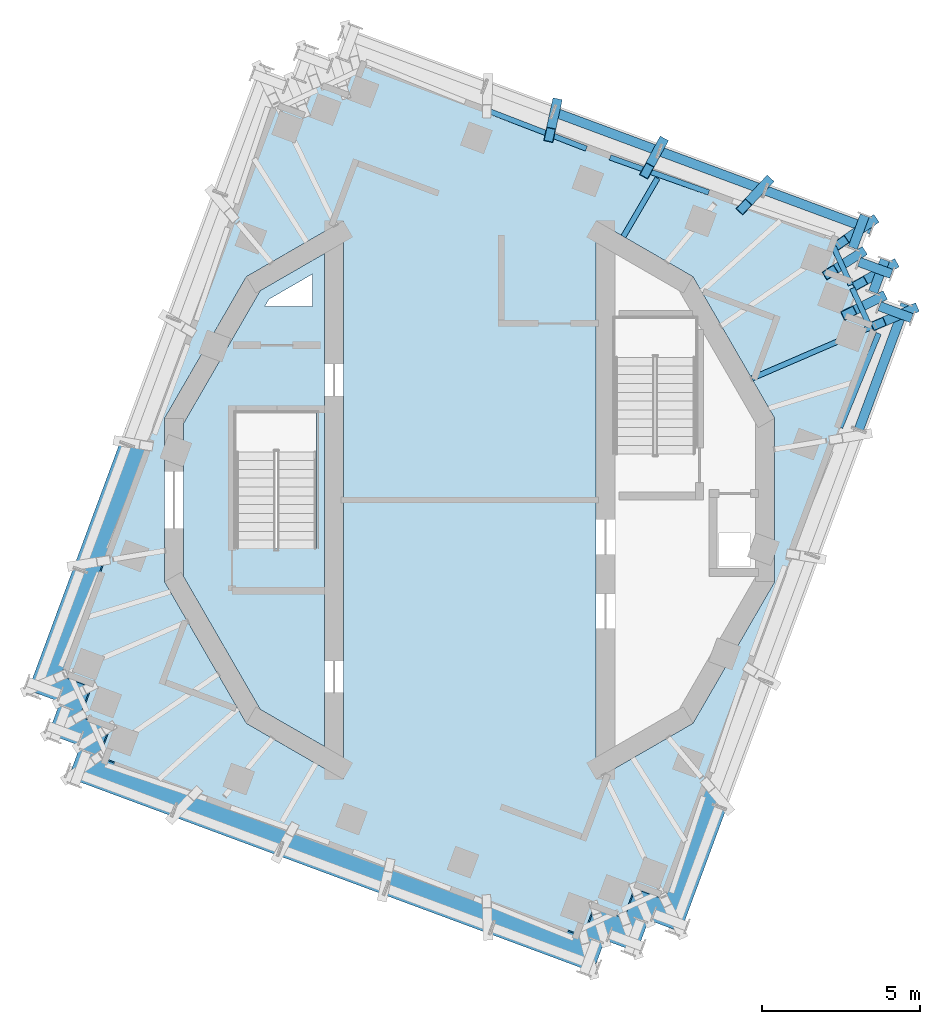
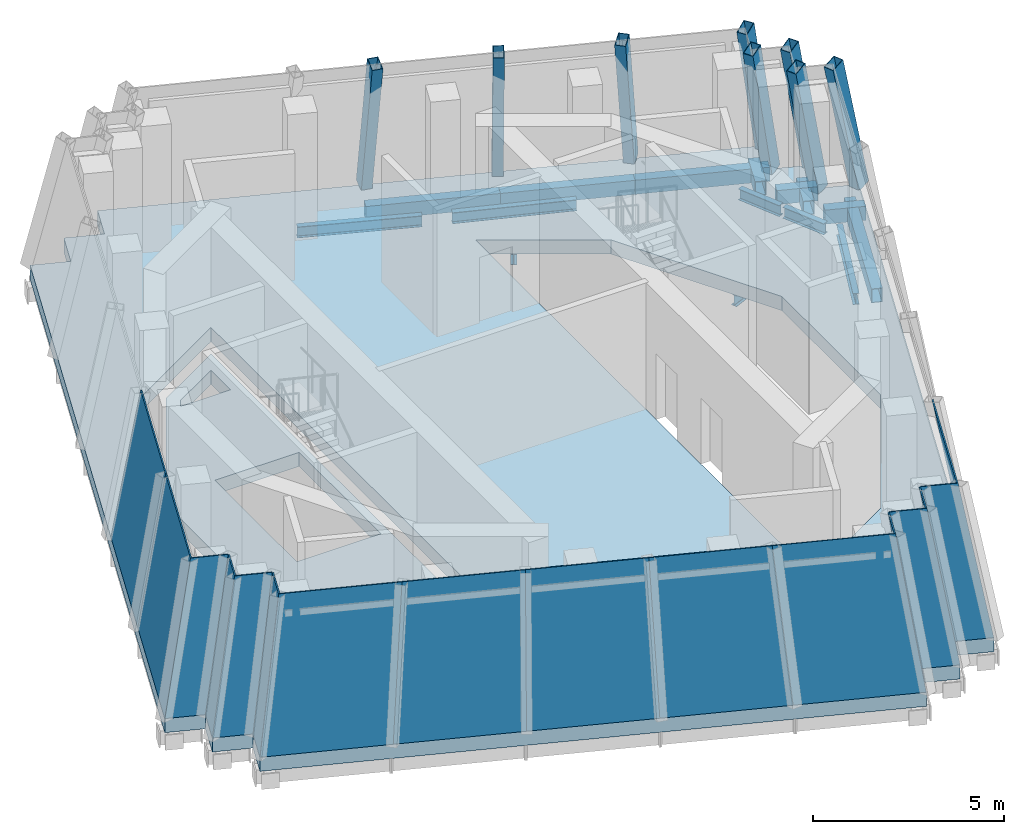
# One storey, part 3 of 11: 16 members, 16 plates, 7 beams, 2 slabs, 25 elements without a shape of their own.
"""IFC4 building model written with IfcOpenShell, lengths in metres."""

from ifc_helpers import new_model, si_unit, direction, frame, origin, origin_2d, place, context, subcontext, project, spatial, polyline, hollow_rectangle, i_section, outline, extrude, material, layer, layer_set, material_profile, profile_set, type_object, element, aggregate, save


model = new_model("IFC4")

# Units and contexts
model_context = context("Model", 3, precision=1e-05, world=origin(), true_north=direction((0.0, 1.0)))
body_context = subcontext(model_context, "Body", "Model", "MODEL_VIEW")
ifc_project = project(units=[si_unit("LENGTHUNIT", "METRE"), si_unit("AREAUNIT", "SQUARE_METRE"), si_unit("VOLUMEUNIT", "CUBIC_METRE"), si_unit("PLANEANGLEUNIT", "RADIAN"), si_unit("MASSUNIT", "GRAM", prefix="KILO")], contexts=[model_context])

# Site, building, storey
site_placement = place(None, origin())
site = spatial("IfcSite", under=ifc_project, at=site_placement, CompositionType="ELEMENT")
building_placement = place(site_placement, origin())
building = spatial("IfcBuilding", under=site, at=building_placement, Name="Cantera Rosa Tower", CompositionType="ELEMENT")
storey_placement = place(building_placement, frame((0.0, 0.0, 369.699951171875)))
storey = spatial("IfcBuildingStorey", under=building, at=storey_placement, Name="L83", CompositionType="ELEMENT", Elevation=369.699951171875)

# Curtain wall, member
ifc_material_1 = material(Name="Aluminium frame with clear glass", Category="aluminium")
curtain_wall_type = type_object("IfcCurtainWallType", Name="CW4 CROWN GLAZING", PredefinedType="NOTDEFINED", material=ifc_material_1)
curtain_wall_1_placement = place(storey_placement, origin())
curtain_wall_1 = element("IfcCurtainWall", 1, at=curtain_wall_1_placement, inside=storey, type_object=curtain_wall_type, Name="CW4 L83-01", PredefinedType="NOTDEFINED")
ifc_material_2 = material(Name="Steel S355J2 (EN 10025-2)", Category="steel")
ifc_material_profile_1 = material_profile(ifc_material_2, hollow_rectangle(XDim=0.300048828125, YDim=0.449951171875, WallThickness=0.01611328125, at=origin_2d()), Name="CROWN FRAME MULLION RHS 300x450x16")
ifc_profile_set_1 = profile_set([ifc_material_profile_1], Name="Steel S355J2 (EN 10025-2)")
member_type_1 = type_object("IfcMemberType", Name="CROWN FRAME MULLION RHS 300x450x16", PredefinedType="MULLION", material=ifc_profile_set_1)
member_1_placement = place(storey_placement, frame((12.704345703125, 8.796630859375, 0.0), z_axis=(-0.202691806928, -0.140333186171, 0.969134989701), x_axis=(0.569232159269, -0.822176835513, 0.0)))
member_1 = element("IfcMember", 2, at=member_1_placement, type_object=member_type_1, Name="CROWN FRAME rib L83-01", PredefinedType="MULLION", context=body_context, shape_type="SweptSolid", body=[
    extrude(hollow_rectangle(XDim=0.300048828125, YDim=0.449951171875, WallThickness=0.01611328125, at=origin_2d()), origin(), (0.0, 0.0, 1.0), 4.643310546875),
])

curtain_wall_2_placement = place(storey_placement, origin())
curtain_wall_2 = element("IfcCurtainWall", 3, at=curtain_wall_2_placement, inside=storey, type_object=curtain_wall_type, Name="CW4 L83-02", PredefinedType="NOTDEFINED")
member_2_placement = place(storey_placement, frame((9.382568359375, 10.027587890625, 0.0), z_axis=(-0.150605583101, -0.161030495213, 0.97539076167), x_axis=(0.730352521861, -0.683070416437, 0.0)))
member_2 = element("IfcMember", 4, at=member_2_placement, type_object=member_type_1, Name="CROWN FRAME rib L83-02", PredefinedType="MULLION", context=body_context, shape_type="SweptSolid", body=[
    extrude(hollow_rectangle(XDim=0.300048828125, YDim=0.449951171875, WallThickness=0.01611328125, at=origin_2d()), origin(), (0.0, 0.0, 1.0), 4.613525390625),
])

curtain_wall_3_placement = place(storey_placement, origin())
curtain_wall_3 = element("IfcCurtainWall", 5, at=curtain_wall_3_placement, inside=storey, type_object=curtain_wall_type, Name="CW4 L83-03", PredefinedType="NOTDEFINED")
member_3_placement = place(storey_placement, frame((6.06103515625, 11.258544921875, 0.0), z_axis=(-0.097632922217, -0.181356205706, 0.978559011584), x_axis=(0.880512480257, -0.474022965806, 0.0)))
member_3 = element("IfcMember", 6, at=member_3_placement, type_object=member_type_1, Name="CROWN FRAME rib L83-03", PredefinedType="MULLION", context=body_context, shape_type="SweptSolid", body=[
    extrude(hollow_rectangle(XDim=0.300048828125, YDim=0.449951171875, WallThickness=0.01611328125, at=origin_2d()), origin(), (0.0, 0.0, 1.0), 4.5986328125),
])

curtain_wall_4_placement = place(storey_placement, origin())
curtain_wall_4 = element("IfcCurtainWall", 7, at=curtain_wall_4_placement, inside=storey, type_object=curtain_wall_type, Name="CW4 L83-04", PredefinedType="NOTDEFINED")
member_4_placement = place(storey_placement, frame((2.7392578125, 12.489501953125, 0.0), z_axis=(-0.044117747221, -0.201210904893, 0.978553931131), x_axis=(0.976795656334, -0.214173401165, 0.0)))
member_4 = element("IfcMember", 8, at=member_4_placement, type_object=member_type_1, Name="CROWN FRAME rib L83-04", PredefinedType="MULLION", context=body_context, shape_type="SweptSolid", body=[
    extrude(hollow_rectangle(XDim=0.300048828125, YDim=0.449951171875, WallThickness=0.01611328125, at=origin_2d()), origin(), (0.0, 0.0, 1.0), 4.5986328125),
])
aggregate(curtain_wall_4, [member_4])

curtain_wall_5_placement = place(storey_placement, origin())
curtain_wall_5 = element("IfcCurtainWall", 9, at=curtain_wall_5_placement, inside=storey, type_object=curtain_wall_type, Name="CW4 L83-33", PredefinedType="NOTDEFINED")
member_5_placement = place(storey_placement, frame((13.979248046875, 6.020751953125, 0.0), z_axis=(-0.223241169722, -0.096148424583, 0.970009721905), x_axis=(0.395564894029, -0.918438029816, 0.0)))
member_5 = element("IfcMember", 10, at=member_5_placement, type_object=member_type_1, Name="CROWN FRAME rib L83-33", PredefinedType="MULLION", context=body_context, shape_type="SweptSolid", body=[
    extrude(hollow_rectangle(XDim=0.300048828125, YDim=0.449951171875, WallThickness=0.01611328125, at=origin_2d()), origin(), (0.0, 0.0, 1.0), 4.63916015625),
])

curtain_wall_6_placement = place(storey_placement, origin())
curtain_wall_6 = element("IfcCurtainWall", 11, at=curtain_wall_6_placement, inside=storey, type_object=curtain_wall_type, Name="CW4 L83-34", PredefinedType="NOTDEFINED")
member_6_placement = place(storey_placement, frame((12.966552734375, 6.39599609375, 0.0), z_axis=(-0.207684153899, -0.102443441606, 0.972816855061), x_axis=(0.442375355852, -0.896829997566, 0.0)))
member_6 = element("IfcMember", 12, at=member_6_placement, type_object=member_type_1, Name="CROWN FRAME rib L83-34", PredefinedType="MULLION", context=body_context, shape_type="SweptSolid", body=[
    extrude(hollow_rectangle(XDim=0.300048828125, YDim=0.449951171875, WallThickness=0.01611328125, at=origin_2d()), origin(), (0.0, 0.0, 1.0), 4.625732421875),
])

curtain_wall_7_placement = place(storey_placement, origin())
curtain_wall_7 = element("IfcCurtainWall", 13, at=curtain_wall_7_placement, inside=storey, type_object=curtain_wall_type, Name="CW4 L83-35", PredefinedType="NOTDEFINED")
member_7_placement = place(storey_placement, frame((13.341796875, 7.40869140625, 0.0), z_axis=(-0.212999998171, -0.118286560249, 0.96986560432), x_axis=(0.485496229045, -0.874238761199, 0.0)))
member_7 = element("IfcMember", 14, at=member_7_placement, type_object=member_type_1, Name="CROWN FRAME rib L83-35", PredefinedType="MULLION", context=body_context, shape_type="SweptSolid", body=[
    extrude(hollow_rectangle(XDim=0.300048828125, YDim=0.449951171875, WallThickness=0.01611328125, at=origin_2d()), origin(), (0.0, 0.0, 1.0), 4.639892578125),
])

curtain_wall_8_placement = place(storey_placement, origin())
curtain_wall_8 = element("IfcCurtainWall", 15, at=curtain_wall_8_placement, inside=storey, type_object=curtain_wall_type, Name="CW4 L83-36", PredefinedType="NOTDEFINED")
member_8_placement = place(storey_placement, frame((12.3291015625, 7.783935546875, 0.0), z_axis=(-0.19735648188, -0.124607326972, 0.97238029244), x_axis=(0.533873930699, -0.84556408753, 0.0)))
member_8 = element("IfcMember", 16, at=member_8_placement, type_object=member_type_1, Name="CROWN FRAME rib L83-36", PredefinedType="MULLION", context=body_context, shape_type="SweptSolid", body=[
    extrude(hollow_rectangle(XDim=0.300048828125, YDim=0.449951171875, WallThickness=0.01611328125, at=origin_2d()), origin(), (0.0, 0.0, 1.0), 4.6279296875),
])

# Member
ifc_material_3 = material(Name="Steel S355J2 (EN 10025-2)", Category="steel")
ifc_material_profile_2 = material_profile(ifc_material_3, hollow_rectangle(XDim=0.300048828125, YDim=0.449951171875, WallThickness=0.01611328125, at=origin_2d()), Name="CROWN FRAME PURLIN RHS 300x450x16")
ifc_profile_set_2 = profile_set([ifc_material_profile_2], Name="Steel S355J2 (EN 10025-2)")
member_type_2 = type_object("IfcMemberType", Name="CROWN FRAME PURLIN RHS 300x450x16", PredefinedType="PURLIN", material=ifc_profile_set_2)
member_9_placement = place(storey_placement, frame((12.71142578125, 8.562744140625, -0.675048828125), z_axis=(-0.937687832299, 0.347478818286, 0.0), x_axis=(-0.347478818286, -0.937687832299, 0.0)))
member_9 = element("IfcMember", 17, at=member_9_placement, type_object=member_type_2, Name="CROWN FRAME purlin L83-01", PredefinedType="PURLIN", context=body_context, shape_type="SweptSolid", body=[
    extrude(hollow_rectangle(XDim=0.300048828125, YDim=0.449951171875, WallThickness=0.01611328125, at=origin_2d()), origin(), (0.0, 0.0, 1.0), 3.57763671875),
])

aggregate(curtain_wall_1, [member_1, member_9])

member_10_placement = place(storey_placement, frame((9.356689453125, 9.805908203125, -0.675048828125), z_axis=(-0.937679592089, 0.34750105407, 0.0), x_axis=(-0.34750105407, -0.937679592089, 0.0)))
member_10 = element("IfcMember", 18, at=member_10_placement, type_object=member_type_2, Name="CROWN FRAME purlin L83-02", PredefinedType="PURLIN", context=body_context, shape_type="SweptSolid", body=[
    extrude(hollow_rectangle(XDim=0.300048828125, YDim=0.449951171875, WallThickness=0.01611328125, at=origin_2d()), origin(), (0.0, 0.0, 1.0), 3.577392578125),
])

aggregate(curtain_wall_2, [member_2, member_10])

member_11_placement = place(storey_placement, frame((6.002197265625, 11.049072265625, -0.675048828125), z_axis=(-0.937687832299, 0.347478818286, 0.0), x_axis=(-0.347478818286, -0.937687832299, 0.0)))
member_11 = element("IfcMember", 19, at=member_11_placement, type_object=member_type_2, Name="CROWN FRAME purlin L83-03", PredefinedType="PURLIN", context=body_context, shape_type="SweptSolid", body=[
    extrude(hollow_rectangle(XDim=0.300048828125, YDim=0.449951171875, WallThickness=0.01611328125, at=origin_2d()), origin(), (0.0, 0.0, 1.0), 3.57763671875),
])

aggregate(curtain_wall_3, [member_3, member_11])

# Curtain wall, member
curtain_wall_9_placement = place(storey_placement, origin())
curtain_wall_9 = element("IfcCurtainWall", 20, at=curtain_wall_9_placement, inside=storey, type_object=curtain_wall_type, Name="CW4 L83-32", PredefinedType="NOTDEFINED")
member_12_placement = place(storey_placement, frame((12.322509765625, 2.221923828125, -0.675048828125), z_axis=(0.347501731493, 0.937679341038, 0.0), x_axis=(-0.937679341038, 0.347501731493, 0.0)))
member_12 = element("IfcMember", 21, at=member_12_placement, type_object=member_type_2, Name="CROWN FRAME purlin L83-32", PredefinedType="PURLIN", context=body_context, shape_type="SweptSolid", body=[
    extrude(hollow_rectangle(XDim=0.300048828125, YDim=0.449951171875, WallThickness=0.01611328125, at=origin_2d()), origin(), (0.0, 0.0, 1.0), 4.243408203125),
])
aggregate(curtain_wall_9, [member_12])

# Member
member_13_placement = place(storey_placement, frame((14.0009765625, 5.75830078125, -0.675048828125), z_axis=(-0.937665049804, 0.347540291729, 0.0), x_axis=(-0.347540291729, -0.937665049804, 0.0)))
member_13 = element("IfcMember", 22, at=member_13_placement, type_object=member_type_2, Name="CROWN FRAME purlin L83-33", PredefinedType="PURLIN", context=body_context, shape_type="SweptSolid", body=[
    extrude(hollow_rectangle(XDim=0.300048828125, YDim=0.449951171875, WallThickness=0.01611328125, at=origin_2d()), origin(), (0.0, 0.0, 1.0), 1.091064453125),
])

aggregate(curtain_wall_5, [member_5, member_13])

member_14_placement = place(storey_placement, frame((12.774658203125, 6.5810546875, -0.675048828125), z_axis=(0.347343512244, 0.937737961534, 0.0), x_axis=(-0.937737961534, 0.347343512244, 0.0)))
member_14 = element("IfcMember", 23, at=member_14_placement, type_object=member_type_2, Name="CROWN FRAME purlin L83-34", PredefinedType="PURLIN", context=body_context, shape_type="SweptSolid", body=[
    extrude(hollow_rectangle(XDim=0.300048828125, YDim=0.449951171875, WallThickness=0.01611328125, at=origin_2d()), origin(), (0.0, 0.0, 1.0), 1.0908203125),
])

aggregate(curtain_wall_6, [member_6, member_14])

member_15_placement = place(storey_placement, frame((13.356201171875, 7.16064453125, -0.675048828125), z_axis=(-0.937737961534, 0.347343512244, 0.0), x_axis=(-0.347343512244, -0.937737961534, 0.0)))
member_15 = element("IfcMember", 24, at=member_15_placement, type_object=member_type_2, Name="CROWN FRAME purlin L83-35", PredefinedType="PURLIN", context=body_context, shape_type="SweptSolid", body=[
    extrude(hollow_rectangle(XDim=0.300048828125, YDim=0.449951171875, WallThickness=0.01611328125, at=origin_2d()), origin(), (0.0, 0.0, 1.0), 1.0908203125),
])

aggregate(curtain_wall_7, [member_7, member_15])

member_16_placement = place(storey_placement, frame((12.131103515625, 7.984375, -0.675048828125), z_axis=(0.347540291729, 0.937665049804, 0.0), x_axis=(-0.937665049804, 0.347540291729, 0.0)))
member_16 = element("IfcMember", 25, at=member_16_placement, type_object=member_type_2, Name="CROWN FRAME purlin L83-36", PredefinedType="PURLIN", context=body_context, shape_type="SweptSolid", body=[
    extrude(hollow_rectangle(XDim=0.300048828125, YDim=0.449951171875, WallThickness=0.01611328125, at=origin_2d()), origin(), (0.0, 0.0, 1.0), 1.091064453125),
])

aggregate(curtain_wall_8, [member_8, member_16])

# Beams
ifc_material_4 = material(Name="Steel ASTM A992 (Fy 345 MPa)", Category="steel")
ifc_material_profile_3 = material_profile(ifc_material_4, i_section(OverallWidth=0.1708984375, OverallDepth=0.35595703125, WebThickness=0.00732421875, FlangeThickness=0.01171875, FilletRadius=0.010009765625, at=origin_2d()), Name="W360X51")
ifc_profile_set_3 = profile_set([ifc_material_profile_3], Name="Steel ASTM A992 (Fy 345 MPa)")
beam_type_1 = type_object("IfcBeamType", Name="STEEL BEAM W360X51", PredefinedType="BEAM", material=ifc_profile_set_3)
beam_1_placement = place(storey_placement, frame((12.8310546875, 5.526123046875, -0.6279296875), z_axis=(-0.918453441932, -0.395529107656, 0.0), x_axis=(0.395529107656, -0.918453441932, 0.0)))
element("IfcBeam", 26, at=beam_1_placement, inside=storey, type_object=beam_type_1, Name="CG-Z6-12 L83", PredefinedType="BEAM", context=body_context, shape_type="SweptSolid", body=[
    extrude(i_section(OverallWidth=0.1708984375, OverallDepth=0.35595703125, WebThickness=0.00732421875, FlangeThickness=0.01171875, FilletRadius=0.010009765625, at=origin_2d()), origin(), (0.0, 0.0, 1.0), 4.244873046875),
])
beam_2_placement = place(storey_placement, frame((5.94775390625, 10.189697265625, -0.6279296875), z_axis=(-0.504119374027, -0.86363398308, 0.0), x_axis=(0.86363398308, -0.504119374027, 0.0)))
element("IfcBeam", 27, at=beam_2_placement, inside=storey, type_object=beam_type_1, Name="CB-Z6-02 L83", PredefinedType="BEAM", context=body_context, shape_type="SweptSolid", body=[
    extrude(i_section(OverallWidth=0.1708984375, OverallDepth=0.35595703125, WebThickness=0.00732421875, FlangeThickness=0.01171875, FilletRadius=0.010009765625, at=origin_2d()), origin(), (0.0, 0.0, 1.0), 2.13916015625),
])
ifc_material_5 = material(Name="Steel ASTM A992 (Fy 345 MPa)", Category="steel")
ifc_material_profile_4 = material_profile(ifc_material_5, i_section(OverallWidth=0.1708984375, OverallDepth=0.35595703125, WebThickness=0.00732421875, FlangeThickness=0.01171875, FilletRadius=0.010009765625, at=origin_2d()), Name="W360X51")
ifc_profile_set_4 = profile_set([ifc_material_profile_4], Name="Steel ASTM A992 (Fy 345 MPa)")
beam_type_2 = type_object("IfcBeamType", Name="STEEL SPANDREL BEAM W360X51", PredefinedType="SPANDREL", material=ifc_profile_set_4)
for number, where, z_axis, x_axis, name in (
    (28, (7.56982421875, 9.737548828125, -0.6279296875), (-0.942119588789, 0.335277020418, 0.0), (-0.335277020418, -0.942119588789, 0.0), "CEB-Z6-02 L83"),
    (29, (3.69677734375, 11.126953125, -0.6279296875), (-0.933115722643, 0.359576206326, 0.0), (-0.359576206326, -0.933115722643, 0.0), "CEB-Z6-03 L83"),
):
    element("IfcBeam", number, at=place(storey_placement, frame(where, z_axis=z_axis, x_axis=x_axis)), inside=storey, type_object=beam_type_2, Name=name, PredefinedType="SPANDREL", context=body_context, shape_type="SweptSolid", body=[
        extrude(i_section(OverallWidth=0.1708984375, OverallDepth=0.35595703125, WebThickness=0.00732421875, FlangeThickness=0.01171875, FilletRadius=0.010009765625, at=origin_2d()), origin(), (0.0, 0.0, 1.0), 3.314697265625),
    ])
beam_3_placement = place(storey_placement, frame((11.73388671875, 2.2958984375, -0.6279296875), z_axis=(0.379261737096, 0.925289432975, 0.0), x_axis=(-0.925289432975, 0.379261737096, 0.0)))
element("IfcBeam", 30, at=beam_3_placement, inside=storey, type_object=beam_type_2, Name="CEB-Z6-24 L83", PredefinedType="SPANDREL", context=body_context, shape_type="SweptSolid", body=[
    extrude(i_section(OverallWidth=0.1708984375, OverallDepth=0.35595703125, WebThickness=0.00732421875, FlangeThickness=0.01171875, FilletRadius=0.010009765625, at=origin_2d()), origin(), (0.0, 0.0, 1.0), 3.21923828125),
])
beam_4_placement = place(storey_placement, frame((12.665283203125, 5.503662109375, -0.6279296875), z_axis=(-0.415668032788, 0.909516402556, 0.0), x_axis=(-0.909516402556, -0.415668032788, 0.0)))
element("IfcBeam", 31, at=beam_4_placement, inside=storey, type_object=beam_type_2, Name="CEB-Z6-25 L83", PredefinedType="SPANDREL", context=body_context, shape_type="SweptSolid", body=[
    extrude(i_section(OverallWidth=0.1708984375, OverallDepth=0.35595703125, WebThickness=0.00732421875, FlangeThickness=0.01171875, FilletRadius=0.010009765625, at=origin_2d()), origin(), (0.0, 0.0, 1.0), 1.321044921875),
])
beam_5_placement = place(storey_placement, frame((12.070068359375, 6.80712890625, -0.6279296875), z_axis=(-0.410004044298, 0.912083704305, 0.0), x_axis=(-0.912083704305, -0.410004044298, 0.0)))
element("IfcBeam", 32, at=beam_5_placement, inside=storey, type_object=beam_type_2, Name="CEB-Z6-26 L83", PredefinedType="SPANDREL", context=body_context, shape_type="SweptSolid", body=[
    extrude(i_section(OverallWidth=0.1708984375, OverallDepth=0.35595703125, WebThickness=0.00732421875, FlangeThickness=0.01171875, FilletRadius=0.010009765625, at=origin_2d()), origin(), (0.0, 0.0, 1.0), 1.322998046875),
])

# Curtain wall, plate
curtain_wall_10_placement = place(storey_placement, origin())
curtain_wall_10 = element("IfcCurtainWall", 33, at=curtain_wall_10_placement, inside=storey, type_object=curtain_wall_type, Name="CW4 L83-13", PredefinedType="NOTDEFINED")
ifc_material_6 = material(Name="Aluminium frame with clear glass", Category="aluminium")
ifc_layer_1 = layer(ifc_material_6, 0.0400390625)
ifc_layer_set_1 = layer_set([ifc_layer_1], Name="CW-PANEL CROWN 40")
plate_type = type_object("IfcPlateType", Name="CW-PANEL CROWN 40", PredefinedType="CURTAIN_PANEL", material=ifc_layer_set_1)
plate_1_placement = place(storey_placement, frame((-11.0595703125, 1.858154296875, 0.0), z_axis=(-0.922640223425, 0.34190773629, 0.178421181432), x_axis=(-0.347482400054, -0.937686504979, 5.778713e-06)))
plate_1 = element("IfcPlate", 34, at=plate_1_placement, type_object=plate_type, Name="CROWN GLAZING L83-13", PredefinedType="CURTAIN_PANEL", context=body_context, shape_type="SweptSolid", body=[
    extrude(outline(polyline([(0.0, 0.0), (4.201197928286243, 2.7755575615628914e-17), (3.7343401369501623, 4.573361633215061), (-0.15556377747414465, 4.573409151845786), (0.0, 0.0)])), origin(), (0.0, 0.0, -1.0), 0.0400390625),
])
aggregate(curtain_wall_10, [plate_1])

curtain_wall_11_placement = place(storey_placement, origin())
curtain_wall_11 = element("IfcCurtainWall", 35, at=curtain_wall_11_placement, inside=storey, type_object=curtain_wall_type, Name="CW4 L83-14", PredefinedType="NOTDEFINED")
plate_2_placement = place(storey_placement, frame((-12.519287109375, -2.081298828125, 0.0), z_axis=(-0.922643761497, 0.341898045416, 0.178421455858), x_axis=(-0.347474508262, -0.937689429436, -5.628224e-06)))
plate_2 = element("IfcPlate", 36, at=plate_2_placement, type_object=plate_type, Name="CROWN GLAZING L83-14", PredefinedType="CURTAIN_PANEL", context=body_context, shape_type="SweptSolid", body=[
    extrude(outline(polyline([(0.0, 0.0), (4.201282761911484, 2.7755575615628914e-17), (3.4231457523757594, 4.573403376509199), (-0.4669022561556955, 4.573357094043997), (0.0, 0.0)])), origin(), (0.0, 0.0, -1.0), 0.0400390625),
])
aggregate(curtain_wall_11, [plate_2])

curtain_wall_12_placement = place(storey_placement, origin())
curtain_wall_12 = element("IfcCurtainWall", 37, at=curtain_wall_12_placement, inside=storey, type_object=curtain_wall_type, Name="CW4 L83-15", PredefinedType="NOTDEFINED")
plate_3_placement = place(storey_placement, frame((-13.979248046875, -6.020751953125, 0.0), z_axis=(-0.342348898241, -0.923995050015, 0.170383037364), x_axis=(0.937706006846, -0.347429769456, -4.512703e-06)))
plate_3 = element("IfcPlate", 38, at=plate_3_placement, type_object=plate_type, Name="CROWN GLAZING L83-15", PredefinedType="CURTAIN_PANEL", context=body_context, shape_type="SweptSolid", body=[
    extrude(outline(polyline([(0.0, 0.0), (1.079981462903266, -6.938893903907228e-18), (1.8161701289868426, 4.56678413597163), (0.8161405063716033, 4.566774610212312), (0.0, 0.0)])), origin(), (0.0, 0.0, -1.0), 0.0400390625),
])
aggregate(curtain_wall_12, [plate_3])

curtain_wall_13_placement = place(storey_placement, origin())
curtain_wall_13 = element("IfcCurtainWall", 39, at=curtain_wall_13_placement, inside=storey, type_object=curtain_wall_type, Name="CW4 L83-16", PredefinedType="NOTDEFINED")
plate_4_placement = place(storey_placement, frame((-12.966552734375, -6.39599609375, 0.0), z_axis=(-0.925371547911, 0.342974734431, 0.161418183172), x_axis=(-0.347530205937, -0.937668787892, 1.3250659e-05)))
plate_4 = element("IfcPlate", 40, at=plate_4_placement, type_object=plate_type, Name="CROWN GLAZING L83-16", PredefinedType="CURTAIN_PANEL", context=body_context, shape_type="SweptSolid", body=[
    extrude(outline(polyline([(0.0, 0.0), (1.079981459643279, -2.0816681711721685e-17), (0.22196449854271758, 4.55979374824089), (-0.7781499613072135, 4.559821677139163), (0.0, 0.0)])), origin(), (0.0, 0.0, -1.0), 0.0400390625),
])
aggregate(curtain_wall_13, [plate_4])

curtain_wall_14_placement = place(storey_placement, origin())
curtain_wall_14 = element("IfcCurtainWall", 41, at=curtain_wall_14_placement, inside=storey, type_object=curtain_wall_type, Name="CW4 L83-17", PredefinedType="NOTDEFINED")
plate_5_placement = place(storey_placement, frame((-13.341796875, -7.40869140625, 0.0), z_axis=(-0.341280622844, -0.921111789155, 0.18729818032), x_axis=(0.937705950344, -0.347429921947, -4.945232e-06)))
plate_5 = element("IfcPlate", 42, at=plate_5_placement, type_object=plate_type, Name="CROWN GLAZING L83-17", PredefinedType="CURTAIN_PANEL", context=body_context, shape_type="SweptSolid", body=[
    extrude(outline(polyline([(0.0, 0.0), (1.0799814629056264, 0.0), (1.736045265171779, 4.581079463833506), (0.7360156425634461, 4.581068992383918), (0.0, 0.0)])), origin(), (0.0, 0.0, -1.0), 0.0400390625),
])
aggregate(curtain_wall_14, [plate_5])

curtain_wall_15_placement = place(storey_placement, origin())
curtain_wall_15 = element("IfcCurtainWall", 43, at=curtain_wall_15_placement, inside=storey, type_object=curtain_wall_type, Name="CW4 L83-18", PredefinedType="NOTDEFINED")
plate_6_placement = place(storey_placement, frame((-12.3291015625, -7.783935546875, 0.0), z_axis=(-0.92789523689, 0.343793954337, 0.144278017447), x_axis=(-0.347429562423, -0.937706083557, -3.837425e-06)))
plate_6 = element("IfcPlate", 44, at=plate_6_placement, type_object=plate_type, Name="CROWN GLAZING L83-18", PredefinedType="CURTAIN_PANEL", context=body_context, shape_type="SweptSolid", body=[
    extrude(outline(polyline([(0.0, 0.0), (1.0799814629000617, -6.938893903907228e-18), (0.14195674816108705, 4.547581013327612), (-0.8580728744635288, 4.547572947045367), (0.0, 0.0)])), origin(), (0.0, 0.0, -1.0), 0.0400390625),
])
aggregate(curtain_wall_15, [plate_6])

curtain_wall_16_placement = place(storey_placement, origin())
curtain_wall_16 = element("IfcCurtainWall", 45, at=curtain_wall_16_placement, inside=storey, type_object=curtain_wall_type, Name="CW4 L83-19", PredefinedType="NOTDEFINED")
plate_7_placement = place(storey_placement, frame((-12.704345703125, -8.796630859375, 0.0), z_axis=(-0.340165355727, -0.91795600578, 0.204069356384), x_axis=(0.937688267395, -0.347477644157, -6.23749e-07)))
plate_7 = element("IfcPlate", 46, at=plate_7_placement, type_object=plate_type, Name="CROWN GLAZING L83-19", PredefinedType="CURTAIN_PANEL", context=body_context, shape_type="SweptSolid", body=[
    extrude(outline(polyline([(0.0, 0.0), (3.5425216914109896, 2.7755575615628914e-17), (3.935899338114122, 4.596734137650052), (0.6560934916046288, 4.596729790755688), (0.0, 0.0)])), origin(), (0.0, 0.0, -1.0), 0.0400390625),
])
aggregate(curtain_wall_16, [plate_7])

curtain_wall_17_placement = place(storey_placement, origin())
curtain_wall_17 = element("IfcCurtainWall", 47, at=curtain_wall_17_placement, inside=storey, type_object=curtain_wall_type, Name="CW4 L83-20", PredefinedType="NOTDEFINED")
plate_8_placement = place(storey_placement, frame((-9.382568359375, -10.027587890625, 0.0), z_axis=(-0.34019613828, -0.917944538291, 0.204069625669), x_axis=(0.937676746186, -0.347508733216, 1.295358e-06)))
plate_8 = element("IfcPlate", 48, at=plate_8_placement, type_object=plate_type, Name="CROWN GLAZING L83-20", PredefinedType="CURTAIN_PANEL", context=body_context, shape_type="SweptSolid", body=[
    extrude(outline(polyline([(0.0, 0.0), (3.5422927648262013, 8.326672684688674e-17), (3.6734747911002588, 4.596727032692351), (0.39335518079024817, 4.596736060132254), (0.0, 0.0)])), origin(), (0.0, 0.0, -1.0), 0.0400390625),
])
aggregate(curtain_wall_17, [plate_8])

curtain_wall_18_placement = place(storey_placement, origin())
curtain_wall_18 = element("IfcCurtainWall", 49, at=curtain_wall_18_placement, inside=storey, type_object=curtain_wall_type, Name="CW4 L83-21", PredefinedType="NOTDEFINED")
plate_9_placement = place(storey_placement, frame((-6.06103515625, -11.258544921875, 0.0), z_axis=(-0.340153527855, -0.917959118836, 0.204075068623), x_axis=(0.937692408007, -0.347466470263, -3.107885e-06)))
plate_9 = element("IfcPlate", 50, at=plate_9_placement, type_object=plate_type, Name="CROWN GLAZING L83-21", PredefinedType="CURTAIN_PANEL", context=body_context, shape_type="SweptSolid", body=[
    extrude(outline(polyline([(0.0, 0.0), (3.5425216910167356, 0.0), (3.411239265290059, 4.596748050840257), (0.13120449008120116, 4.596726391300614), (0.0, 0.0)])), origin(), (0.0, 0.0, -1.0), 0.0400390625),
])
aggregate(curtain_wall_18, [plate_9])

curtain_wall_19_placement = place(storey_placement, origin())
curtain_wall_19 = element("IfcCurtainWall", 51, at=curtain_wall_19_placement, inside=storey, type_object=curtain_wall_type, Name="CW4 L83-22", PredefinedType="NOTDEFINED")
plate_10_placement = place(storey_placement, frame((-2.7392578125, -12.489501953125, 0.0), z_axis=(-0.340166143372, -0.917958131284, 0.204058482093), x_axis=(0.937688855954, -0.347476055814, 7.502515e-06)))
plate_10 = element("IfcPlate", 52, at=plate_10_placement, type_object=plate_type, Name="CROWN GLAZING L83-22", PredefinedType="CURTAIN_PANEL", context=body_context, shape_type="SweptSolid", body=[
    extrude(outline(polyline([(0.0, 0.0), (3.5422079303241536, 0.0), (3.148875338382586, 4.596696854151326), (-0.13124426901477856, 4.5967491389033475), (0.0, 0.0)])), origin(), (0.0, 0.0, -1.0), 0.0400390625),
])
aggregate(curtain_wall_19, [plate_10])

curtain_wall_20_placement = place(storey_placement, origin())
curtain_wall_20 = element("IfcCurtainWall", 53, at=curtain_wall_20_placement, inside=storey, type_object=curtain_wall_type, Name="CW4 L83-23", PredefinedType="NOTDEFINED")
plate_11_placement = place(storey_placement, frame((0.582275390625, -13.72021484375, 0.0), z_axis=(-0.340167985148, -0.917963101425, 0.204033051986), x_axis=(0.937688267411, -0.347477644113, -6.23643e-07)))
plate_11 = element("IfcPlate", 54, at=plate_11_placement, type_object=plate_type, Name="CROWN GLAZING L83-23", PredefinedType="CURTAIN_PANEL", context=body_context, shape_type="SweptSolid", body=[
    extrude(outline(polyline([(0.0, 0.0), (3.5425216914109887, 0.0), (2.886435098255118, 4.596697936965417), (-0.3933707482543764, 4.596693590844375), (0.0, 0.0)])), origin(), (0.0, 0.0, -1.0), 0.0400390625),
])
aggregate(curtain_wall_20, [plate_11])

curtain_wall_21_placement = place(storey_placement, origin())
curtain_wall_21 = element("IfcCurtainWall", 55, at=curtain_wall_21_placement, inside=storey, type_object=curtain_wall_type, Name="CW4 L83-24", PredefinedType="NOTDEFINED")
plate_12_placement = place(storey_placement, frame((3.904052734375, -14.951171875, 0.0), z_axis=(0.92785937588, -0.343896809611, 0.144263519058), x_axis=(0.347530614939, 0.937668636321, 1.1874287e-05)))
plate_12 = element("IfcPlate", 56, at=plate_12_placement, type_object=plate_type, Name="CROWN GLAZING L83-24", PredefinedType="CURTAIN_PANEL", context=body_context, shape_type="SweptSolid", body=[
    extrude(outline(polyline([(0.0, 0.0), (1.0799814596236874, -1.3877787807814457e-17), (1.938019738841412, 4.547547492906779), (0.9379052789341547, 4.547572453670611), (0.0, 0.0)])), origin(), (0.0, 0.0, -1.0), 0.0400390625),
])
aggregate(curtain_wall_21, [plate_12])

curtain_wall_22_placement = place(storey_placement, origin())
curtain_wall_22 = element("IfcCurtainWall", 57, at=curtain_wall_22_placement, inside=storey, type_object=curtain_wall_type, Name="CW4 L83-25", PredefinedType="NOTDEFINED")
plate_13_placement = place(storey_placement, frame((4.279296875, -13.9384765625, 0.0), z_axis=(-0.341318357616, -0.92109832454, 0.187295636052), x_axis=(0.937692277165, -0.347466823364, 2.558295e-06)))
plate_13 = element("IfcPlate", 58, at=plate_13_placement, type_object=plate_type, Name="CROWN GLAZING L83-25", PredefinedType="CURTAIN_PANEL", context=body_context, shape_type="SweptSolid", body=[
    extrude(outline(polyline([(0.0, 0.0), (1.0799814631813167, 0.0), (0.3439133341524244, 4.5810675658961095), (-0.6558873577324322, 4.581072982446007), (0.0, 0.0)])), origin(), (0.0, 0.0, -1.0), 0.0400390625),
])
aggregate(curtain_wall_22, [plate_13])

curtain_wall_23_placement = place(storey_placement, origin())
curtain_wall_23 = element("IfcCurtainWall", 59, at=curtain_wall_23_placement, inside=storey, type_object=curtain_wall_type, Name="CW4 L83-26", PredefinedType="NOTDEFINED")
plate_14_placement = place(storey_placement, frame((5.2919921875, -14.313720703125, 0.0), z_axis=(0.925357342756, -0.343012405095, 0.161419571792), x_axis=(0.347567460448, 0.937654979216, 1.9749413e-05)))
plate_14 = element("IfcPlate", 60, at=plate_14_placement, type_object=plate_type, Name="CROWN GLAZING L83-26", PredefinedType="CURTAIN_PANEL", context=body_context, shape_type="SweptSolid", body=[
    extrude(outline(polyline([(0.0, 0.0), (1.0799814551988824, 0.0), (1.8578948823988308, 4.559760598505804), (0.8580093394628903, 4.559802220494886), (0.0, 0.0)])), origin(), (0.0, 0.0, -1.0), 0.0400390625),
])
aggregate(curtain_wall_23, [plate_14])

curtain_wall_24_placement = place(storey_placement, origin())
curtain_wall_24 = element("IfcCurtainWall", 61, at=curtain_wall_24_placement, inside=storey, type_object=curtain_wall_type, Name="CW4 L83-27", PredefinedType="NOTDEFINED")
plate_15_placement = place(storey_placement, frame((5.667236328125, -13.301025390625, 0.0), z_axis=(-0.342389302331, -0.923988428047, 0.17033775414), x_axis=(0.937692247863, -0.347466902441, 2.333965e-06)))
plate_15 = element("IfcPlate", 62, at=plate_15_placement, type_object=plate_type, Name="CROWN GLAZING L83-27", PredefinedType="CURTAIN_PANEL", context=body_context, shape_type="SweptSolid", body=[
    extrude(outline(polyline([(0.0, 0.0), (1.0799814631806834, -6.938893903907228e-18), (0.2639904121569311, 4.566738910059419), (-0.7358102797297783, 4.566743836190985), (0.0, 0.0)])), origin(), (0.0, 0.0, -1.0), 0.0400390625),
])
aggregate(curtain_wall_24, [plate_15])

curtain_wall_25_placement = place(storey_placement, origin())
curtain_wall_25 = element("IfcCurtainWall", 63, at=curtain_wall_25_placement, inside=storey, type_object=curtain_wall_type, Name="CW4 L83-28", PredefinedType="NOTDEFINED")
plate_16_placement = place(storey_placement, frame((6.679931640625, -13.67626953125, 0.0), z_axis=(0.92262675719, -0.341932435402, 0.178443482752), x_axis=(0.347510315177, 0.937676159897, -2.366068e-06)))
plate_16 = element("IfcPlate", 64, at=plate_16_placement, type_object=plate_type, Name="CROWN GLAZING L83-28", PredefinedType="CURTAIN_PANEL", context=body_context, shape_type="SweptSolid", body=[
    extrude(outline(polyline([(0.0, 0.0), (4.2010538390389245, 0.0), (4.667957882651408, 4.5734135868692665), (0.7778250408148607, 4.573394130293055), (0.0, 0.0)])), origin(), (0.0, 0.0, -1.0), 0.0400390625),
])
aggregate(curtain_wall_25, [plate_16])

# Slabs
ifc_material_7 = material(Name="Concrete C50/60", Category="concrete")
ifc_layer_2 = layer(ifc_material_7, 0.449951171875)
ifc_layer_set_2 = layer_set([ifc_layer_2], Name="RC CROWN PLATE 450 C50/60")
slab_type = type_object("IfcSlabType", Name="RC CROWN PLATE 450 C50/60", PredefinedType="FLOOR", material=ifc_layer_set_2)
slab_1_placement = place(storey_placement, frame((0.0, 0.0, -0.449951171875)))
element("IfcSlab", 65, at=slab_1_placement, inside=storey, type_object=slab_type, Name="SLAB L83 floor 1", PredefinedType="FLOOR", context=body_context, shape_type="SweptSolid", body=[
    extrude(outline(polyline([(-4.60009765625, 7.804931640625), (-4.60009765625, -7.804931640625), (-6.6318359375, -6.6318359375), (-9.059326171875, -2.427490234375), (-9.059326171875, 2.427490234375), (-6.6318359375, 6.6318359375), (-4.60009765625, 7.804931640625)]), holes=[polyline([(-7.39990234375, 2.75), (-7.39990234375, -1.5380859375), (-4.85009765625, -1.5380859375), (-4.85009765625, 2.75), (-7.39990234375, 2.75)]), polyline([(-4.97509765625, 6.125), (-4.97509765625, 7.155517578125), (-6.357421875, 6.357421875), (-6.491455078125, 6.125), (-4.97509765625, 6.125)])]), origin(), (0.0, 0.0, 1.0), 0.449951171875),
])
slab_2_placement = place(storey_placement, frame((0.0, 0.0, -0.449951171875)))
element("IfcSlab", 66, at=slab_2_placement, inside=storey, type_object=slab_type, Name="SLAB L83 floor 2", PredefinedType="FLOOR", context=body_context, shape_type="SweptSolid", body=[
    extrude(outline(polyline([(13.341796875, 7.40869140625), (12.966552734375, 6.39599609375), (13.979248046875, 6.020751953125), (6.679931640625, -13.676513671875), (5.667236328125, -13.301025390625), (5.2919921875, -14.313720703125), (4.279296875, -13.9384765625), (3.904052734375, -14.951171875), (-12.704345703125, -8.796630859375), (-12.3291015625, -7.783935546875), (-13.341796875, -7.40869140625), (-12.966552734375, -6.39599609375), (-13.979248046875, -6.020751953125), (-6.679931640625, 13.676513671875), (-5.667236328125, 13.301025390625), (-5.2919921875, 14.313720703125), (-4.279296875, 13.9384765625), (-3.904052734375, 14.951171875), (12.704345703125, 8.796630859375), (12.3291015625, 7.783935546875), (13.341796875, 7.40869140625)]), holes=[polyline([(-9.6591796875, 2.588134765625), (-9.6591796875, -2.588134765625), (-7.071044921875, -7.071044921875), (-4.0, -8.843994140625), (-4.0, 8.843994140625), (-7.071044921875, 7.071044921875), (-9.6591796875, 2.588134765625)]), polyline([(9.6591796875, -2.588134765625), (9.6591796875, 2.588134765625), (7.071044921875, 7.071044921875), (4.0, 8.843994140625), (4.0, -8.843994140625), (7.071044921875, -7.071044921875), (9.6591796875, -2.588134765625)])]), origin(), (0.0, 0.0, 1.0), 0.449951171875),
])

save(model, "model.ifc")
